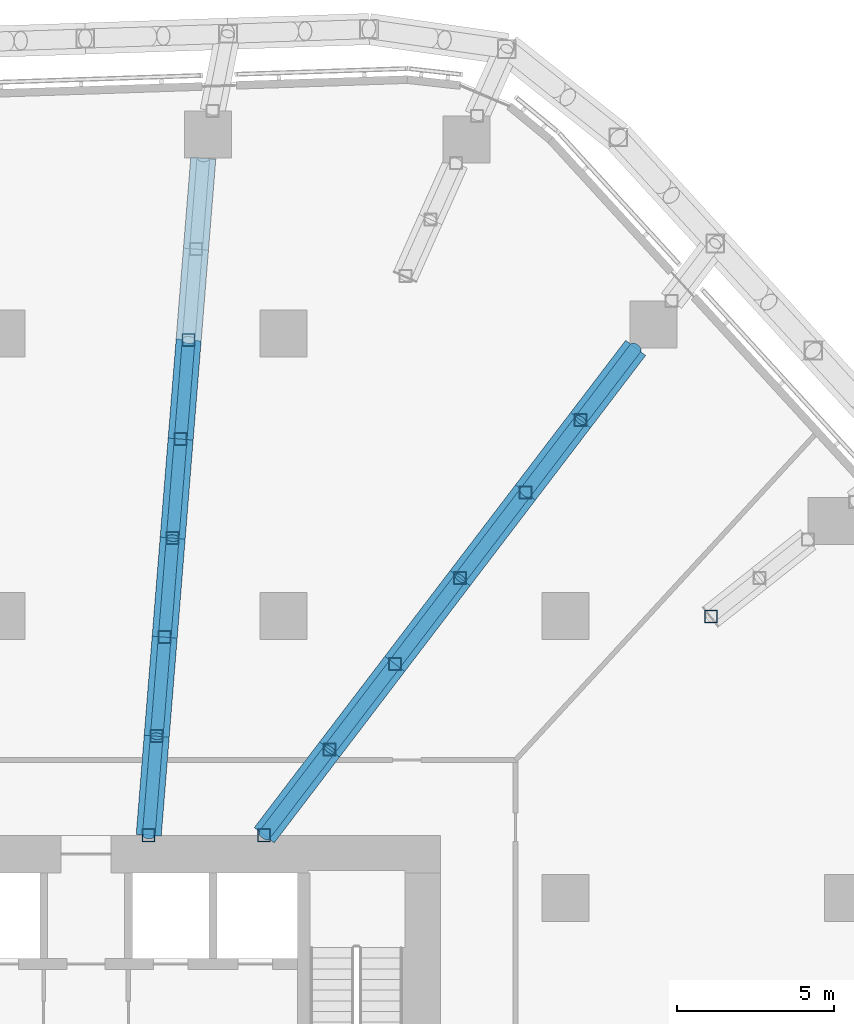
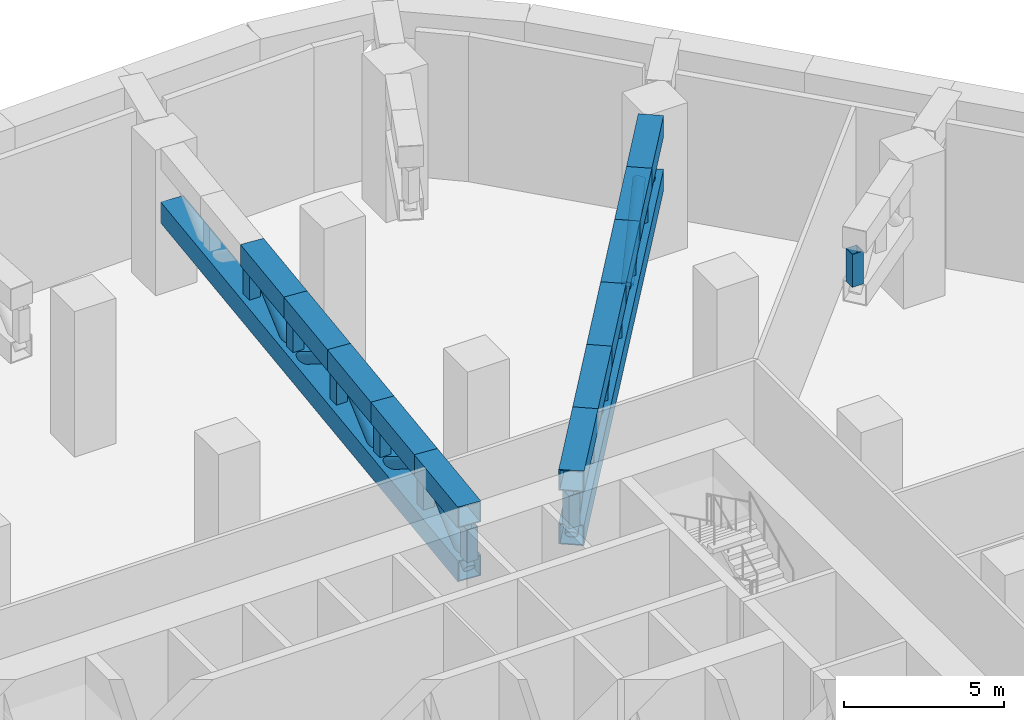
# One storey, part 9 of 38: 37 members.
"""IFC4 building model written with IfcOpenShell, lengths in metres."""

from ifc_helpers import new_model, si_unit, direction, frame, origin, origin_2d, place, context, subcontext, project, spatial, hollow_rectangle, hollow_circle, extrude, material, material_profile, profile_set, type_object, element, save


model = new_model("IFC4")

# Units and contexts
model_context = context("Model", 3, precision=1e-05, world=origin(), true_north=direction((0.0, 1.0)))
body_context = subcontext(model_context, "Body", "Model", "MODEL_VIEW")
ifc_project = project(units=[si_unit("LENGTHUNIT", "METRE"), si_unit("AREAUNIT", "SQUARE_METRE"), si_unit("VOLUMEUNIT", "CUBIC_METRE"), si_unit("PLANEANGLEUNIT", "RADIAN"), si_unit("MASSUNIT", "GRAM", prefix="KILO")], contexts=[model_context])

# Site, building, storey
site_placement = place(None, origin())
site = spatial("IfcSite", under=ifc_project, at=site_placement, CompositionType="ELEMENT")
building_placement = place(site_placement, origin())
building = spatial("IfcBuilding", under=site, at=building_placement, Name="Dongbaek Canopy Tower", CompositionType="ELEMENT")
storey_placement = place(building_placement, frame((0.0, 0.0, 89.199951171875)))
storey = spatial("IfcBuildingStorey", under=building, at=storey_placement, Name="L18", CompositionType="ELEMENT", Elevation=89.199951171875)

# Members
ifc_material_1 = material(Name="Steel S355", Category="steel")
ifc_material_profile_1 = material_profile(ifc_material_1, hollow_circle(Radius=0.203125, WallThickness=0.0126953125, at=origin_2d()), Name="OUTRIGGER BRACE CHS 406.4x12.7 Steel S355")
ifc_profile_set_1 = profile_set([ifc_material_profile_1], Name="Steel S355")
member_type_1 = type_object("IfcMemberType", Name="OUTRIGGER BRACE CHS 406.4x12.7 Steel S355", PredefinedType="BRACE", material=ifc_profile_set_1)
member_1_placement = place(storey_placement, frame((4.699951171875, 11.0, 3.10009765625), z_axis=(0.067452964209, 0.836985870368, 0.543051333139), x_axis=(-0.996768332954, 0.080329884969, 0.0)))
element("IfcMember", 1, at=member_1_placement, inside=storey, type_object=member_type_1, Name="TRUSS:L18:16:D0", PredefinedType="BRACE", context=body_context, shape_type="SweptSolid", body=[
    extrude(hollow_circle(Radius=0.203125, WallThickness=0.0126953125, at=origin_2d()), origin(), (0.0, 0.0, 1.0), 3.775146484375),
])
member_2_placement = place(storey_placement, frame((4.95458984375, 14.15966796875, 5.150146484375), z_axis=(0.067456615567, 0.836966502445, -0.543080729544), x_axis=(-0.996767835908, 0.080336052303, 0.0)))
element("IfcMember", 2, at=member_2_placement, inside=storey, type_object=member_type_1, Name="TRUSS:L18:16:D1", PredefinedType="BRACE", context=body_context, shape_type="SweptSolid", body=[
    extrude(hollow_circle(Radius=0.203125, WallThickness=0.0126953125, at=origin_2d()), origin(), (0.0, 0.0, 1.0), 3.77490234375),
])
for number, where, z_axis, x_axis, name in (
    (3, (5.209228515625, 17.319091796875, 3.10009765625), (0.067517341602, 0.836982217439, 0.543048963053), (-0.996762163194, 0.080406405376, 0.0), "TRUSS:L18:16:D2"),
    (4, (5.464111328125, 20.478759765625, 5.150146484375), (0.067388585974, 0.836989519844, -0.543053700984), (-0.996774496917, 0.080253363142, 0.0), "TRUSS:L18:16:D3"),
    (5, (5.718505859375, 23.638427734375, 3.10009765625), (0.067517341602, 0.836982217439, 0.543048963053), (-0.996762163194, 0.080406405376, 0.0), "TRUSS:L18:16:D4"),
):
    element("IfcMember", number, at=place(storey_placement, frame(where, z_axis=z_axis, x_axis=x_axis)), inside=storey, type_object=member_type_1, Name=name, PredefinedType="BRACE", context=body_context, shape_type="SweptSolid", body=[
        extrude(hollow_circle(Radius=0.203125, WallThickness=0.0126953125, at=origin_2d()), origin(), (0.0, 0.0, 1.0), 3.775146484375),
    ])
member_3_placement = place(storey_placement, frame((8.3837890625, 11.0, 3.10009765625), z_axis=(0.520650807041, 0.683037737135, 0.512232551462), x_axis=(-0.795296370657, 0.60622082018, 0.0)))
element("IfcMember", 6, at=member_3_placement, inside=storey, type_object=member_type_1, Name="TRUSS:L18:18:D0", PredefinedType="BRACE", context=body_context, shape_type="SweptSolid", body=[
    extrude(hollow_circle(Radius=0.203125, WallThickness=0.0126953125, at=origin_2d()), origin(), (0.0, 0.0, 1.0), 4.002197265625),
])
member_4_placement = place(storey_placement, frame((10.467529296875, 13.733642578125, 5.150146484375), z_axis=(0.520606339286, 0.683059430629, -0.51224882013), x_axis=(-0.795330615074, 0.606175892564, 0.0)))
element("IfcMember", 7, at=member_4_placement, inside=storey, type_object=member_type_1, Name="TRUSS:L18:18:D1", PredefinedType="BRACE", context=body_context, shape_type="SweptSolid", body=[
    extrude(hollow_circle(Radius=0.203125, WallThickness=0.0126953125, at=origin_2d()), origin(), (0.0, 0.0, 1.0), 4.001953125),
])
member_5_placement = place(storey_placement, frame((12.551025390625, 16.46728515625, 3.10009765625), z_axis=(0.520584646417, 0.683091969835, 0.512227475505), x_axis=(-0.795356713033, 0.606141649314, 0.0)))
element("IfcMember", 8, at=member_5_placement, inside=storey, type_object=member_type_1, Name="TRUSS:L18:18:D2", PredefinedType="BRACE", context=body_context, shape_type="SweptSolid", body=[
    extrude(hollow_circle(Radius=0.203125, WallThickness=0.0126953125, at=origin_2d()), origin(), (0.0, 0.0, 1.0), 4.002197265625),
])
member_6_placement = place(storey_placement, frame((14.634521484375, 19.201171875, 5.150146484375), z_axis=(0.520606339286, 0.683059430629, -0.51224882013), x_axis=(-0.795330615074, 0.606175892564, 0.0)))
element("IfcMember", 9, at=member_6_placement, inside=storey, type_object=member_type_1, Name="TRUSS:L18:18:D3", PredefinedType="BRACE", context=body_context, shape_type="SweptSolid", body=[
    extrude(hollow_circle(Radius=0.203125, WallThickness=0.0126953125, at=origin_2d()), origin(), (0.0, 0.0, 1.0), 4.001953125),
])
member_7_placement = place(storey_placement, frame((16.718017578125, 21.934814453125, 3.10009765625), z_axis=(0.494992657099, 0.649402866522, 0.577285186342), x_axis=(-0.795308007767, 0.606205553242, 0.0)))
element("IfcMember", 10, at=member_7_placement, inside=storey, type_object=member_type_1, Name="TRUSS:L18:18:D4", PredefinedType="BRACE", context=body_context, shape_type="SweptSolid", body=[
    extrude(hollow_circle(Radius=0.203125, WallThickness=0.0126953125, at=origin_2d()), origin(), (0.0, 0.0, 1.0), 3.55126953125),
])
member_8_placement = place(storey_placement, frame((18.475830078125, 24.240966796875, 5.150146484375), z_axis=(0.494940750189, 0.649424965451, -0.577304831134), x_axis=(-0.795348600264, 0.606152294442, 0.0)))
element("IfcMember", 11, at=member_8_placement, inside=storey, type_object=member_type_1, Name="TRUSS:L18:18:D5", PredefinedType="BRACE", context=body_context, shape_type="SweptSolid", body=[
    extrude(hollow_circle(Radius=0.203125, WallThickness=0.0126953125, at=origin_2d()), origin(), (0.0, 0.0, 1.0), 3.551025390625),
])
ifc_material_2 = material(Name="Steel S355", Category="steel")
ifc_material_profile_2 = material_profile(ifc_material_2, hollow_rectangle(XDim=0.800048828125, YDim=0.800048828125, WallThickness=0.0400390625, at=origin_2d()), Name="OUTRIGGER CHORD BOX 800x800x40 Steel S355")
ifc_profile_set_2 = profile_set([ifc_material_profile_2], Name="Steel S355")
member_type_2 = type_object("IfcMemberType", Name="OUTRIGGER CHORD BOX 800x800x40 Steel S355", PredefinedType="CHORD", material=ifc_profile_set_2)
member_9_placement = place(storey_placement, frame((4.699951171875, 11.0, 3.10009765625), z_axis=(0.080343025095, 0.9967672739, 0.0), x_axis=(-0.9967672739, 0.080343025095, 0.0)))
element("IfcMember", 12, at=member_9_placement, inside=storey, type_object=member_type_2, Name="TRUSS:L18:16:CB", PredefinedType="CHORD", context=body_context, shape_type="SweptSolid", body=[
    extrude(hollow_rectangle(XDim=0.800048828125, YDim=0.800048828125, WallThickness=0.0400390625, at=origin_2d()), origin(), (0.0, 0.0, 1.0), 21.669189453125),
])
member_10_placement = place(storey_placement, frame((4.699951171875, 11.0, 5.150146484375), z_axis=(0.080329884969, 0.996768332954, 0.0), x_axis=(-0.996768332954, 0.080329884969, 0.0)))
element("IfcMember", 13, at=member_10_placement, inside=storey, type_object=member_type_2, Name="TRUSS:L18:16:CT0", PredefinedType="CHORD", context=body_context, shape_type="SweptSolid", body=[
    extrude(hollow_rectangle(XDim=0.800048828125, YDim=0.800048828125, WallThickness=0.0400390625, at=origin_2d()), origin(), (0.0, 0.0, 1.0), 3.169921875),
])
member_11_placement = place(storey_placement, frame((4.95458984375, 14.15966796875, 5.150146484375), z_axis=(0.080336052303, 0.996767835908, 0.0), x_axis=(-0.996767835908, 0.080336052303, 0.0)))
element("IfcMember", 14, at=member_11_placement, inside=storey, type_object=member_type_2, Name="TRUSS:L18:16:CT1", PredefinedType="CHORD", context=body_context, shape_type="SweptSolid", body=[
    extrude(hollow_rectangle(XDim=0.800048828125, YDim=0.800048828125, WallThickness=0.0400390625, at=origin_2d()), origin(), (0.0, 0.0, 1.0), 3.169677734375),
])
for number, where, z_axis, x_axis, name in (
    (15, (5.209228515625, 17.319091796875, 5.150146484375), (0.080406405376, 0.996762163194, 0.0), (-0.996762163194, 0.080406405376, 0.0), "TRUSS:L18:16:CT2"),
    (16, (5.464111328125, 20.478759765625, 5.150146484375), (0.080253363142, 0.996774496917, 0.0), (-0.996774496917, 0.080253363142, 0.0), "TRUSS:L18:16:CT3"),
    (17, (5.718505859375, 23.638427734375, 5.150146484375), (0.080406405376, 0.996762163194, 0.0), (-0.996762163194, 0.080406405376, 0.0), "TRUSS:L18:16:CT4"),
):
    element("IfcMember", number, at=place(storey_placement, frame(where, z_axis=z_axis, x_axis=x_axis)), inside=storey, type_object=member_type_2, Name=name, PredefinedType="CHORD", context=body_context, shape_type="SweptSolid", body=[
        extrude(hollow_rectangle(XDim=0.800048828125, YDim=0.800048828125, WallThickness=0.0400390625, at=origin_2d()), origin(), (0.0, 0.0, 1.0), 3.169921875),
    ])
member_12_placement = place(storey_placement, frame((8.3837890625, 11.0, 3.10009765625), z_axis=(0.606178671033, 0.795328497405, 0.0), x_axis=(-0.795328497405, 0.606178671033, 0.0)))
element("IfcMember", 18, at=member_12_placement, inside=storey, type_object=member_type_2, Name="TRUSS:L18:18:CB", PredefinedType="CHORD", context=body_context, shape_type="SweptSolid", body=[
    extrude(hollow_rectangle(XDim=0.800048828125, YDim=0.800048828125, WallThickness=0.0400390625, at=origin_2d()), origin(), (0.0, 0.0, 1.0), 19.548095703125),
])
member_13_placement = place(storey_placement, frame((8.3837890625, 11.0, 5.150146484375), z_axis=(0.60622082018, 0.795296370657, 0.0), x_axis=(-0.795296370657, 0.60622082018, 0.0)))
element("IfcMember", 19, at=member_13_placement, inside=storey, type_object=member_type_2, Name="TRUSS:L18:18:CT0", PredefinedType="CHORD", context=body_context, shape_type="SweptSolid", body=[
    extrude(hollow_rectangle(XDim=0.800048828125, YDim=0.800048828125, WallThickness=0.0400390625, at=origin_2d()), origin(), (0.0, 0.0, 1.0), 3.437255859375),
])
member_14_placement = place(storey_placement, frame((10.467529296875, 13.733642578125, 5.150146484375), z_axis=(0.606175892564, 0.795330615074, 0.0), x_axis=(-0.795330615074, 0.606175892564, 0.0)))
element("IfcMember", 20, at=member_14_placement, inside=storey, type_object=member_type_2, Name="TRUSS:L18:18:CT1", PredefinedType="CHORD", context=body_context, shape_type="SweptSolid", body=[
    extrude(hollow_rectangle(XDim=0.800048828125, YDim=0.800048828125, WallThickness=0.0400390625, at=origin_2d()), origin(), (0.0, 0.0, 1.0), 3.43701171875),
])
member_15_placement = place(storey_placement, frame((12.551025390625, 16.46728515625, 5.150146484375), z_axis=(0.606141649314, 0.795356713033, 0.0), x_axis=(-0.795356713033, 0.606141649314, 0.0)))
element("IfcMember", 21, at=member_15_placement, inside=storey, type_object=member_type_2, Name="TRUSS:L18:18:CT2", PredefinedType="CHORD", context=body_context, shape_type="SweptSolid", body=[
    extrude(hollow_rectangle(XDim=0.800048828125, YDim=0.800048828125, WallThickness=0.0400390625, at=origin_2d()), origin(), (0.0, 0.0, 1.0), 3.437255859375),
])
member_16_placement = place(storey_placement, frame((14.634521484375, 19.201171875, 5.150146484375), z_axis=(0.606175892564, 0.795330615074, 0.0), x_axis=(-0.795330615074, 0.606175892564, 0.0)))
element("IfcMember", 22, at=member_16_placement, inside=storey, type_object=member_type_2, Name="TRUSS:L18:18:CT3", PredefinedType="CHORD", context=body_context, shape_type="SweptSolid", body=[
    extrude(hollow_rectangle(XDim=0.800048828125, YDim=0.800048828125, WallThickness=0.0400390625, at=origin_2d()), origin(), (0.0, 0.0, 1.0), 3.43701171875),
])
for number, where, z_axis, x_axis, name in (
    (23, (16.718017578125, 21.934814453125, 5.150146484375), (0.606205553242, 0.795308007767, 0.0), (-0.795308007767, 0.606205553242, 0.0), "TRUSS:L18:18:CT4"),
    (24, (18.475830078125, 24.240966796875, 5.150146484375), (0.606152294442, 0.795348600264, 0.0), (-0.795348600264, 0.606152294442, 0.0), "TRUSS:L18:18:CT5"),
):
    element("IfcMember", number, at=place(storey_placement, frame(where, z_axis=z_axis, x_axis=x_axis)), inside=storey, type_object=member_type_2, Name=name, PredefinedType="CHORD", context=body_context, shape_type="SweptSolid", body=[
        extrude(hollow_rectangle(XDim=0.800048828125, YDim=0.800048828125, WallThickness=0.0400390625, at=origin_2d()), origin(), (0.0, 0.0, 1.0), 2.899658203125),
    ])
ifc_material_3 = material(Name="Steel S355", Category="steel")
ifc_material_profile_3 = material_profile(ifc_material_3, hollow_rectangle(XDim=0.39990234375, YDim=0.39990234375, WallThickness=0.01611328125, at=origin_2d()), Name="OUTRIGGER POST SHS 400x400x16 Steel S355")
ifc_profile_set_3 = profile_set([ifc_material_profile_3], Name="Steel S355")
member_type_3 = type_object("IfcMemberType", Name="OUTRIGGER POST SHS 400x400x16 Steel S355", PredefinedType="POST", material=ifc_profile_set_3)
for number, where, z_axis, x_axis, name in (
    (25, (4.699951171875, 11.0, 3.5), (0.0, 0.0, 1.0), (1.0, 0.0, 0.0), "TRUSS:L18:16:P0"),
    (26, (4.95458984375, 14.15966796875, 3.5), (0.0, 0.0, 1.0), (1.0, 0.0, 0.0), "TRUSS:L18:16:P1"),
    (27, (5.209228515625, 17.319091796875, 3.5), (0.0, 0.0, 1.0), (1.0, 0.0, 0.0), "TRUSS:L18:16:P2"),
    (28, (5.464111328125, 20.478759765625, 3.5), (0.0, 0.0, 1.0), (1.0, 0.0, 0.0), "TRUSS:L18:16:P3"),
    (29, (5.718505859375, 23.638427734375, 3.5), (0.0, 0.0, 1.0), (1.0, 0.0, 0.0), "TRUSS:L18:16:P4"),
    (30, (5.973388671875, 26.798095703125, 3.5), (0.0, 0.0, 1.0), (1.0, 0.0, 0.0), "TRUSS:L18:16:P5"),
    (31, (8.3837890625, 11.0, 3.5), (0.0, 0.0, 1.0), (1.0, 0.0, 0.0), "TRUSS:L18:18:P0"),
    (32, (10.467529296875, 13.733642578125, 3.5), (0.0, 0.0, 1.0), (1.0, 0.0, 0.0), "TRUSS:L18:18:P1"),
    (33, (12.551025390625, 16.46728515625, 3.5), (0.0, 0.0, 1.0), (1.0, 0.0, 0.0), "TRUSS:L18:18:P2"),
    (34, (14.634521484375, 19.201171875, 3.5), (0.0, 0.0, 1.0), (1.0, 0.0, 0.0), "TRUSS:L18:18:P3"),
    (35, (16.718017578125, 21.934814453125, 3.5), (0.0, 0.0, 1.0), (1.0, 0.0, 0.0), "TRUSS:L18:18:P4"),
    (36, (18.475830078125, 24.240966796875, 3.5), (0.0, 0.0, 1.0), (1.0, 0.0, 0.0), "TRUSS:L18:18:P5"),
):
    element("IfcMember", number, at=place(storey_placement, frame(where, z_axis=z_axis, x_axis=x_axis)), inside=storey, type_object=member_type_3, Name=name, PredefinedType="POST", context=body_context, shape_type="SweptSolid", body=[
        extrude(hollow_rectangle(XDim=0.39990234375, YDim=0.39990234375, WallThickness=0.01611328125, at=origin_2d()), origin(), (0.0, 0.0, 1.0), 1.25),
    ])
ifc_material_4 = material(Name="Steel S355", Category="steel")
ifc_material_profile_4 = material_profile(ifc_material_4, hollow_rectangle(XDim=0.39990234375, YDim=0.39990234375, WallThickness=0.01611328125, at=origin_2d()), Name="POST SHS 400x400x16 Steel S355")
ifc_profile_set_4 = profile_set([ifc_material_profile_4], Name="Steel S355")
member_type_4 = type_object("IfcMemberType", Name="POST SHS 400x400x16 Steel S355", PredefinedType="POST", material=ifc_profile_set_4)
member_17_placement = place(storey_placement, frame((22.638671875, 17.97705078125, 3.5), z_axis=(0.0, 0.0, 1.0), x_axis=(1.0, 0.0, 0.0)))
element("IfcMember", 37, at=member_17_placement, inside=storey, type_object=member_type_4, Name="TRUSS:L18:19:P0", PredefinedType="POST", context=body_context, shape_type="SweptSolid", body=[
    extrude(hollow_rectangle(XDim=0.39990234375, YDim=0.39990234375, WallThickness=0.01611328125, at=origin_2d()), origin(), (0.0, 0.0, 1.0), 1.25),
])

save(model, "model.ifc")
